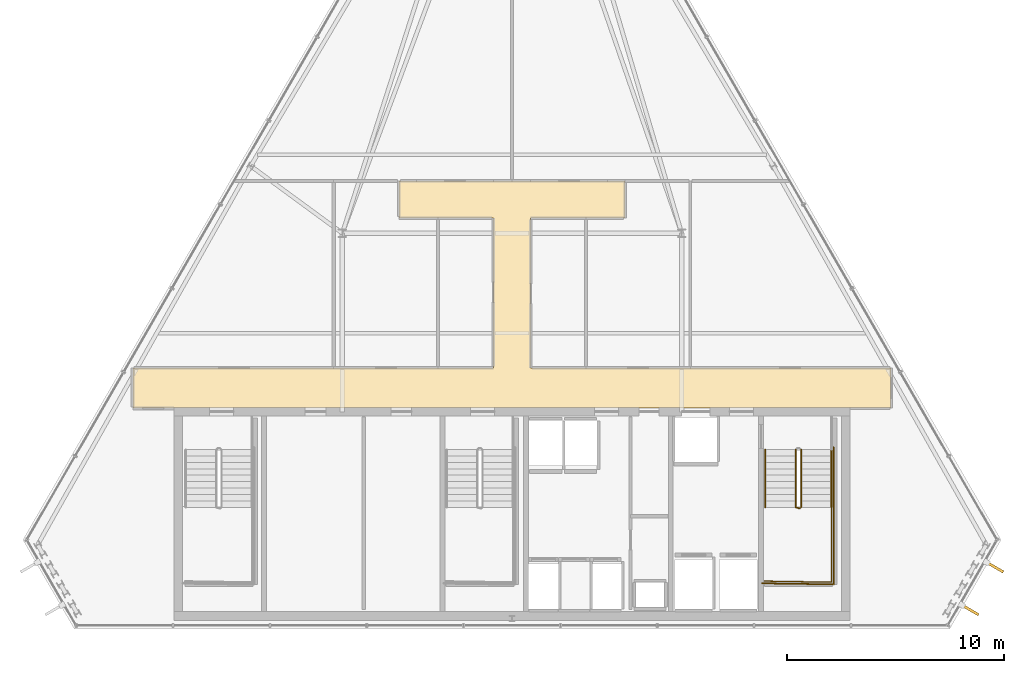
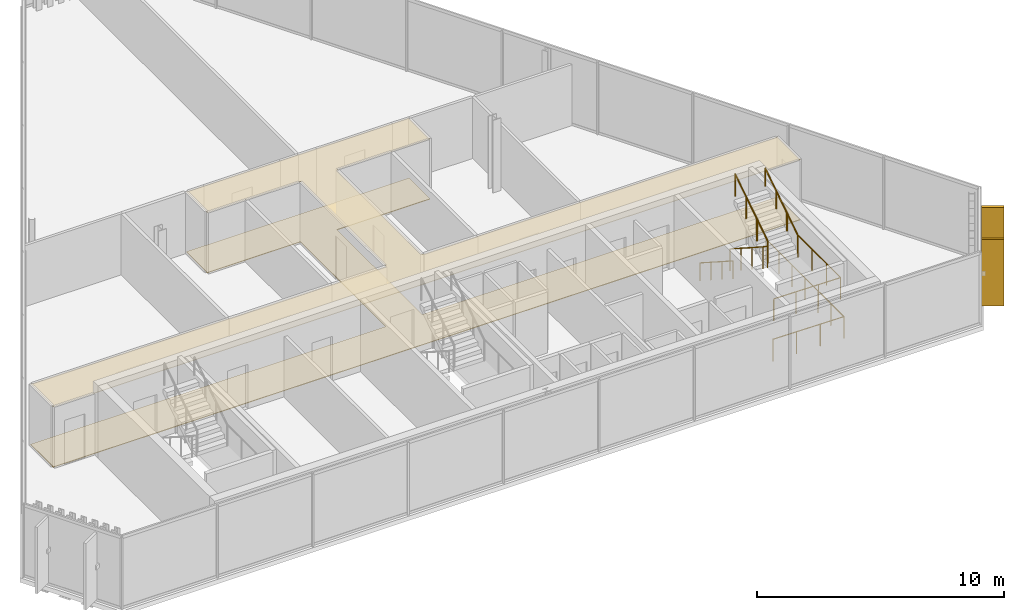
# One storey, part 31 of 32: 6 railings, 2 coverings, 2 shading devices.
"""IFC4 building model written with IfcOpenShell, lengths in metres."""

from ifc_helpers import new_model, si_unit, direction, frame, origin, origin_2d, place, context, subcontext, project, spatial, polyline, rectangle, circle, outline, extrude, material, layer, layer_set, type_object, element, save


model = new_model("IFC4")

# Units and contexts
model_context = context("Model", 3, precision=1e-05, world=origin(), true_north=direction((0.0, 1.0)))
body_context = subcontext(model_context, "Body", "Model", "MODEL_VIEW")
ifc_project = project(units=[si_unit("LENGTHUNIT", "METRE"), si_unit("AREAUNIT", "SQUARE_METRE"), si_unit("VOLUMEUNIT", "CUBIC_METRE"), si_unit("PLANEANGLEUNIT", "RADIAN"), si_unit("MASSUNIT", "GRAM", prefix="KILO")], contexts=[model_context])

# Site, building, storey
site_placement = place(None, origin())
site = spatial("IfcSite", under=ifc_project, at=site_placement, CompositionType="ELEMENT")
building_placement = place(site_placement, origin())
building = spatial("IfcBuilding", under=site, at=building_placement, Name="Ndaravel Arena Tower", CompositionType="ELEMENT")
storey_placement = place(building_placement, frame((0.0, 0.0, 287.10009765625)))
storey = spatial("IfcBuildingStorey", under=building, at=storey_placement, Name="L70", CompositionType="ELEMENT", Elevation=287.10009765625)

# Coverings
ifc_material_1 = material(Name="Acoustic Ceiling Tile", Category="finish")
ifc_layer_1 = layer(ifc_material_1, 0.02490234375)
ifc_layer_set_1 = layer_set([ifc_layer_1], Name="Acoustic Ceiling Tile")
covering_type_1 = type_object("IfcCoveringType", Name="COV-CEIL-AC600", PredefinedType="CEILING", material=ifc_layer_set_1)
covering_1_placement = place(storey_placement, frame((0.0, 0.0, 2.98046875)))
element("IfcCovering", 1, at=covering_1_placement, inside=storey, type_object=covering_type_1, Name="L70 Corridor Acoustic Ceiling", PredefinedType="CEILING", context=body_context, shape_type="SweptSolid", body=[
    extrude(outline(polyline([(59.43408203125, 17.0), (42.85009765625, 17.0), (42.85009765625, 23.89990234375), (47.199951171875, 23.89990234375), (47.199951171875, 25.60009765625), (42.85009765625, 25.60009765625), (41.14990234375, 25.60009765625), (36.800048828125, 25.60009765625), (36.800048828125, 23.89990234375), (41.14990234375, 23.89990234375), (41.14990234375, 17.0), (24.56591796875, 17.0), (24.56591796875, 15.14990234375), (59.43408203125, 15.14990234375), (59.43408203125, 17.0)])), origin(), (0.0, 0.0, 1.0), 0.02490234375),
])
ifc_material_2 = material(Name="Terrazzo", Category="stone")
ifc_layer_2 = layer(ifc_material_2, 0.030029296875)
ifc_layer_set_2 = layer_set([ifc_layer_2], Name="Terrazzo")
covering_type_2 = type_object("IfcCoveringType", Name="COV-FLOOR-TERRAZZO", PredefinedType="FLOORING", material=ifc_layer_set_2)
covering_2_placement = place(storey_placement, origin())
element("IfcCovering", 2, at=covering_2_placement, inside=storey, type_object=covering_type_2, Name="L70 Corridor Terrazzo Flooring", PredefinedType="FLOORING", context=body_context, shape_type="SweptSolid", body=[
    extrude(outline(polyline([(59.43408203125, 17.0), (42.85009765625, 17.0), (42.85009765625, 23.89990234375), (47.199951171875, 23.89990234375), (47.199951171875, 25.60009765625), (42.85009765625, 25.60009765625), (41.14990234375, 25.60009765625), (36.800048828125, 25.60009765625), (36.800048828125, 23.89990234375), (41.14990234375, 23.89990234375), (41.14990234375, 17.0), (24.56591796875, 17.0), (24.56591796875, 15.14990234375), (59.43408203125, 15.14990234375), (59.43408203125, 17.0)])), origin(), (0.0, 0.0, 1.0), 0.02978515625),
])

# Railings
ifc_material_3 = material(Name="Steel S355", Category="steel")
ifc_layer_3 = layer(ifc_material_3, 0.06005859375)
ifc_layer_set_3 = layer_set([ifc_layer_3], Name="Steel S355")
railing_type_1 = type_object("IfcRailingType", Name="RAIL-STAIR-GD1100", PredefinedType="GUARDRAIL", material=ifc_layer_set_3)
railing_1_placement = place(storey_placement, frame((55.050048828125, 13.25, 0.18994140625)))
element("IfcRailing", 3, at=railing_1_placement, inside=storey, type_object=railing_type_1, Name="L70 ST-3 stair guard 1", PredefinedType="GUARDRAIL", context=body_context, shape_type="SweptSolid", body=[
    extrude(circle(Radius=0.02392578125, at=origin_2d()), frame((0.0, 0.0, 1.076171875), z_axis=(0.0, -0.840723540582, 0.54146461409), x_axis=(1.0, 0.0, 0.0)), (0.0, 0.0, 1.0), 3.157958984375),
    extrude(circle(Radius=0.02392578125, at=origin_2d()), frame((0.0, -2.655029296875, 2.7861328125), z_axis=(0.966993988697, -0.254799187253, 0.0), x_axis=(0.254799187253, 0.966993988697, 0.0)), (0.0, 0.0, 1.0), 0.196533203125),
    extrude(circle(Radius=0.02099609375, at=origin_2d()), origin(), (0.0, 0.0, 1.0), 1.052001953125),
    extrude(circle(Radius=0.02099609375, at=origin_2d()), frame((0.0, -0.885009765625, 0.570068359375)), (0.0, 0.0, 1.0), 1.052001953125),
    extrude(circle(Radius=0.02099609375, at=origin_2d()), frame((0.0, -1.77001953125, 1.139892578125)), (0.0, 0.0, 1.0), 1.052001953125),
    extrude(circle(Radius=0.02099609375, at=origin_2d()), frame((0.0, -2.655029296875, 1.7099609375)), (0.0, 0.0, 1.0), 1.052001953125),
    extrude(circle(Radius=0.02099609375, at=origin_2d()), frame((0.18994140625, -2.705078125, 1.7099609375)), (0.0, 0.0, 1.0), 1.052001953125),
])
railing_2_placement = place(storey_placement, frame((56.68994140625, 10.594970703125, 1.89990234375)))
element("IfcRailing", 4, at=railing_2_placement, inside=storey, type_object=railing_type_1, Name="L70 ST-3 stair guard 2", PredefinedType="GUARDRAIL", context=body_context, shape_type="SweptSolid", body=[
    extrude(circle(Radius=0.02392578125, at=origin_2d()), frame((0.0, 0.0, 1.076171875), z_axis=(0.0, -1.0, 0.0), x_axis=(1.0, 0.0, 0.0)), (0.0, 0.0, 1.0), 3.445068359375),
    extrude(circle(Radius=0.02392578125, at=origin_2d()), frame((0.0, -3.445068359375, 1.076171875), z_axis=(-0.999868840623, 0.016195726322, 0.0), x_axis=(-0.016195726322, -0.999868840623, 0.0)), (0.0, 0.0, 1.0), 3.09033203125),
    extrude(circle(Radius=0.02099609375, at=origin_2d()), origin(), (0.0, 0.0, 1.0), 1.052001953125),
    extrude(circle(Radius=0.02099609375, at=origin_2d()), frame((0.0, -1.1484375, 0.0)), (0.0, 0.0, 1.0), 1.052001953125),
    extrude(circle(Radius=0.02099609375, at=origin_2d()), frame((0.0, -2.296630859375, 0.0)), (0.0, 0.0, 1.0), 1.052001953125),
    extrude(circle(Radius=0.02099609375, at=origin_2d()), frame((0.0, -3.445068359375, 0.0)), (0.0, 0.0, 1.0), 1.052001953125),
    extrude(circle(Radius=0.02099609375, at=origin_2d()), frame((-1.030029296875, -3.428466796875, 0.0)), (0.0, 0.0, 1.0), 1.052001953125),
    extrude(circle(Radius=0.02099609375, at=origin_2d()), frame((-2.059814453125, -3.41162109375, 0.0)), (0.0, 0.0, 1.0), 1.052001953125),
    extrude(circle(Radius=0.02099609375, at=origin_2d()), frame((-3.08984375, -3.39501953125, 0.0)), (0.0, 0.0, 1.0), 1.052001953125),
])
railing_3_placement = place(storey_placement, frame((55.2900390625, 10.594970703125, 2.08984375)))
element("IfcRailing", 5, at=railing_3_placement, inside=storey, type_object=railing_type_1, Name="L70 ST-3 stair guard 3", PredefinedType="GUARDRAIL", context=body_context, shape_type="SweptSolid", body=[
    extrude(circle(Radius=0.02392578125, at=origin_2d()), frame((0.0, 0.0, 1.076171875), z_axis=(0.0, 0.840723540582, 0.54146461409), x_axis=(-1.0, 0.0, 0.0)), (0.0, 0.0, 1.0), 3.157958984375),
    extrude(circle(Radius=0.02099609375, at=origin_2d()), origin(), (0.0, 0.0, 1.0), 1.052001953125),
    extrude(circle(Radius=0.02099609375, at=origin_2d()), frame((0.0, 0.885009765625, 0.570068359375)), (0.0, 0.0, 1.0), 1.052001953125),
    extrude(circle(Radius=0.02099609375, at=origin_2d()), frame((0.0, 1.77001953125, 1.139892578125)), (0.0, 0.0, 1.0), 1.052001953125),
    extrude(circle(Radius=0.02099609375, at=origin_2d()), frame((0.0, 2.655029296875, 1.7099609375)), (0.0, 0.0, 1.0), 1.052001953125),
])
railing_4_placement = place(storey_placement, frame((56.7900390625, 13.35009765625, 0.0)))
element("IfcRailing", 6, at=railing_4_placement, inside=storey, type_object=railing_type_1, Name="L70 ST-3 stair guard 6", PredefinedType="GUARDRAIL", context=body_context, shape_type="SweptSolid", body=[
    extrude(circle(Radius=0.02392578125, at=origin_2d()), frame((0.0, 0.0, 1.076171875), z_axis=(0.0, -1.0, 0.0), x_axis=(1.0, 0.0, 0.0)), (0.0, 0.0, 1.0), 6.300048828125),
    extrude(circle(Radius=0.02392578125, at=origin_2d()), frame((0.0, -6.300048828125, 1.076171875), z_axis=(-0.99988431412, 0.015210469308, 0.0), x_axis=(-0.015210469308, -0.99988431412, 0.0)), (0.0, 0.0, 1.0), 3.29052734375),
    extrude(circle(Radius=0.02099609375, at=origin_2d()), origin(), (0.0, 0.0, 1.0), 1.052001953125),
    extrude(circle(Radius=0.02099609375, at=origin_2d()), frame((0.0, -1.050048828125, 0.0)), (0.0, 0.0, 1.0), 1.052001953125),
    extrude(circle(Radius=0.02099609375, at=origin_2d()), frame((0.0, -2.10009765625, 0.0)), (0.0, 0.0, 1.0), 1.052001953125),
    extrude(circle(Radius=0.02099609375, at=origin_2d()), frame((0.0, -3.14990234375, 0.0)), (0.0, 0.0, 1.0), 1.052001953125),
    extrude(circle(Radius=0.02099609375, at=origin_2d()), frame((0.0, -4.199951171875, 0.0)), (0.0, 0.0, 1.0), 1.052001953125),
    extrude(circle(Radius=0.02099609375, at=origin_2d()), frame((0.0, -5.25, 0.0)), (0.0, 0.0, 1.0), 1.052001953125),
    extrude(circle(Radius=0.02099609375, at=origin_2d()), frame((0.0, -6.300048828125, 0.0)), (0.0, 0.0, 1.0), 1.052001953125),
    extrude(circle(Radius=0.02099609375, at=origin_2d()), frame((-1.0966796875, -6.283447265625, 0.0)), (0.0, 0.0, 1.0), 1.052001953125),
    extrude(circle(Radius=0.02099609375, at=origin_2d()), frame((-2.193359375, -6.2666015625, 0.0)), (0.0, 0.0, 1.0), 1.052001953125),
    extrude(circle(Radius=0.02099609375, at=origin_2d()), frame((-3.2900390625, -6.25, 0.0)), (0.0, 0.0, 1.0), 1.052001953125),
])
ifc_material_4 = material(Name="Steel S355", Category="steel")
ifc_layer_4 = layer(ifc_material_4, 0.050048828125)
ifc_layer_set_4 = layer_set([ifc_layer_4], Name="Steel S355")
railing_type_2 = type_object("IfcRailingType", Name="RAIL-STAIR-HR920", PredefinedType="HANDRAIL", material=ifc_layer_set_4)
railing_5_placement = place(storey_placement, frame((53.64990234375, 13.25, 0.18994140625)))
element("IfcRailing", 7, at=railing_5_placement, inside=storey, type_object=railing_type_2, Name="L70 ST-3 stair handrail 1", PredefinedType="HANDRAIL", context=body_context, shape_type="SweptSolid", body=[
    extrude(circle(Radius=0.02392578125, at=origin_2d()), frame((0.0, 0.0, 0.8759765625), z_axis=(0.0, -0.840723540582, 0.54146461409), x_axis=(1.0, 0.0, 0.0)), (0.0, 0.0, 1.0), 3.157958984375),
    extrude(circle(Radius=0.02099609375, at=origin_2d()), origin(), (0.0, 0.0, 1.0), 0.851806640625),
    extrude(circle(Radius=0.02099609375, at=origin_2d()), frame((0.0, -0.885009765625, 0.570068359375)), (0.0, 0.0, 1.0), 0.851806640625),
    extrude(circle(Radius=0.02099609375, at=origin_2d()), frame((0.0, -1.77001953125, 1.139892578125)), (0.0, 0.0, 1.0), 0.851806640625),
    extrude(circle(Radius=0.02099609375, at=origin_2d()), frame((0.0, -2.655029296875, 1.7099609375)), (0.0, 0.0, 1.0), 0.851806640625),
])
railing_6_placement = place(storey_placement, frame((56.68994140625, 10.594970703125, 2.08984375)))
element("IfcRailing", 8, at=railing_6_placement, inside=storey, type_object=railing_type_2, Name="L70 ST-3 stair handrail 2", PredefinedType="HANDRAIL", context=body_context, shape_type="SweptSolid", body=[
    extrude(circle(Radius=0.02392578125, at=origin_2d()), frame((0.0, 0.0, 0.8759765625), z_axis=(0.0, 0.840723540582, 0.54146461409), x_axis=(-1.0, 0.0, 0.0)), (0.0, 0.0, 1.0), 3.157958984375),
    extrude(circle(Radius=0.02099609375, at=origin_2d()), origin(), (0.0, 0.0, 1.0), 0.851806640625),
    extrude(circle(Radius=0.02099609375, at=origin_2d()), frame((0.0, 0.885009765625, 0.570068359375)), (0.0, 0.0, 1.0), 0.851806640625),
    extrude(circle(Radius=0.02099609375, at=origin_2d()), frame((0.0, 1.77001953125, 1.139892578125)), (0.0, 0.0, 1.0), 0.851806640625),
    extrude(circle(Radius=0.02099609375, at=origin_2d()), frame((0.0, 2.655029296875, 1.7099609375)), (0.0, 0.0, 1.0), 0.851806640625),
])

# Shading devices
ifc_material_5 = material(Name="Masonry", Category="masonry")
shading_device_type = type_object("IfcShadingDeviceType", Name="SHD-MAZERAS-FIN", PredefinedType="SHUTTER", material=ifc_material_5)
for number, where, z_axis, x_axis, name in (
    (9, (63.065673828125, 5.876953125, 0.14990234375), (0.0, 0.0, 1.0), (0.866025403784, -0.5, 0.0), "L70 Mazeras Stone Solar Fin E2.1"),
    (10, (64.201904296875, 7.844970703125, 0.14990234375), (0.0, 0.0, 1.0), (0.866025403784, -0.5, 0.0), "L70 Mazeras Stone Solar Fin E2.2"),
):
    element("IfcShadingDevice", number, at=place(storey_placement, frame(where, z_axis=z_axis, x_axis=x_axis)), inside=storey, type_object=shading_device_type, Name=name, PredefinedType="SHUTTER", context=body_context, shape_type="SweptSolid", body=[
        extrude(rectangle(XDim=0.89990234375, YDim=0.1201171875, at=origin_2d()), origin(), (0.0, 0.0, 1.0), 3.280029296875),
    ])

save(model, "model.ifc")
